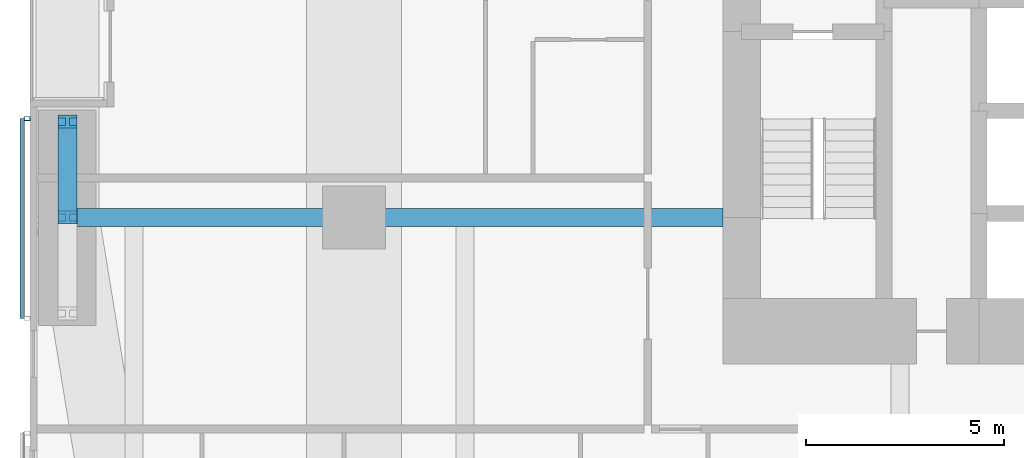
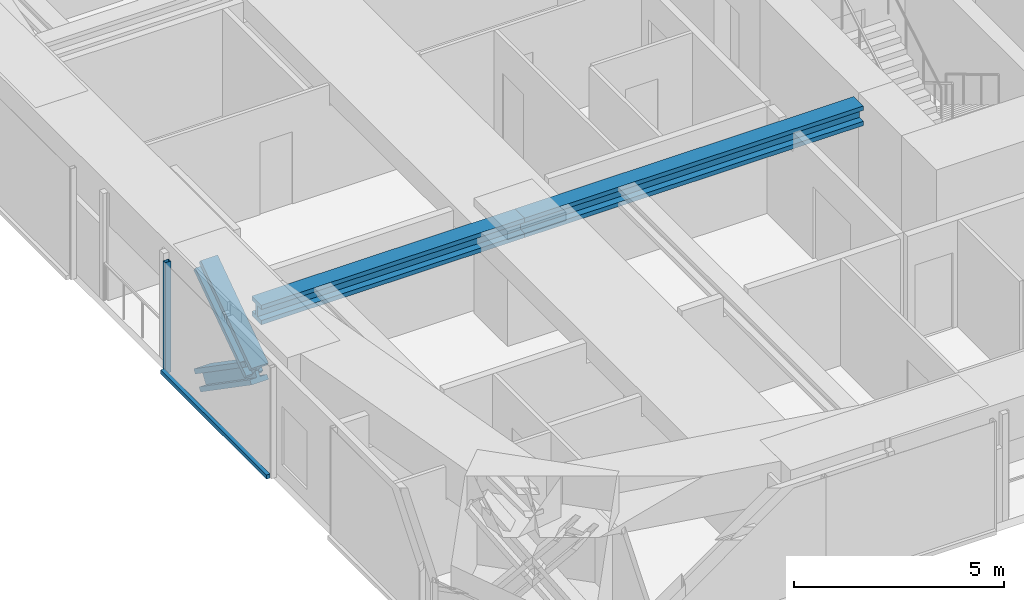
# One storey, part 3 of 23: 4 members, 2 beams, 1 element without a shape of its own.
"""IFC4 building model written with IfcOpenShell, lengths in metres."""

from ifc_helpers import new_model, si_unit, direction, frame, origin, origin_2d, place, context, subcontext, project, spatial, rectangle, hollow_rectangle, i_section, extrude, material, material_profile, profile_set, type_object, element, aggregate, save


model = new_model("IFC4")

# Units and contexts
model_context = context("Model", 3, precision=1e-05, world=origin(), true_north=direction((0.0, 1.0)))
body_context = subcontext(model_context, "Body", "Model", "MODEL_VIEW")
ifc_project = project(units=[si_unit("LENGTHUNIT", "METRE"), si_unit("AREAUNIT", "SQUARE_METRE"), si_unit("VOLUMEUNIT", "CUBIC_METRE"), si_unit("PLANEANGLEUNIT", "RADIAN"), si_unit("MASSUNIT", "GRAM", prefix="KILO")], contexts=[model_context])

# Site, building, storey
site_placement = place(None, origin())
site = spatial("IfcSite", under=ifc_project, at=site_placement, CompositionType="ELEMENT")
building_placement = place(site_placement, origin())
building = spatial("IfcBuilding", under=site, at=building_placement, Name="Jalousie Tower", CompositionType="ELEMENT")
storey_placement = place(building_placement, frame((0.0, 0.0, 37.75)))
storey = spatial("IfcBuildingStorey", under=building, at=storey_placement, Name="L09", CompositionType="ELEMENT", Elevation=37.75)

# Beams
ifc_material_1 = material(Name="Steel ASTM A992 Grade 50", Category="steel")
ifc_material_profile_1 = material_profile(ifc_material_1, i_section(OverallWidth=0.45458984375, OverallDepth=0.569091796875, WebThickness=0.077880859375, FlangeThickness=0.124755859375, at=origin_2d()), Name="W14X730")
ifc_profile_set_1 = profile_set([ifc_material_profile_1], Name="Steel ASTM A992 Grade 50")
beam_type = type_object("IfcBeamType", Name="LEAN COLLECTOR W14X730", PredefinedType="BEAM", material=ifc_profile_set_1)
beam_1_placement = place(storey_placement, frame((2.949951171875, 13.0, 2.825439453125), z_axis=(1.0, 0.0, 0.0), x_axis=(0.0, 1.0, 0.0)))
element("IfcBeam", 1, at=beam_1_placement, inside=storey, type_object=beam_type, Name="Lean collector under L10", PredefinedType="BEAM", context=body_context, shape_type="SweptSolid", body=[
    extrude(i_section(OverallWidth=0.45458984375, OverallDepth=0.569091796875, WebThickness=0.077880859375, FlangeThickness=0.124755859375, at=origin_2d()), origin(), (0.0, 0.0, 1.0), 7.25),
])
beam_2_placement = place(storey_placement, frame((10.199951171875, 13.0, 2.825439453125), z_axis=(1.0, 0.0, 0.0), x_axis=(0.0, 1.0, 0.0)))
element("IfcBeam", 2, at=beam_2_placement, inside=storey, type_object=beam_type, Name="Lean collector under L10", PredefinedType="BEAM", context=body_context, shape_type="SweptSolid", body=[
    extrude(i_section(OverallWidth=0.45458984375, OverallDepth=0.569091796875, WebThickness=0.077880859375, FlangeThickness=0.124755859375, at=origin_2d()), origin(), (0.0, 0.0, 1.0), 9.324951171875),
])

# Members
ifc_material_2 = material(Name="Steel ASTM A992 Grade 50", Category="steel")
ifc_material_profile_2 = material_profile(ifc_material_2, i_section(OverallWidth=0.472412109375, OverallDepth=0.5791015625, WebThickness=0.094970703125, FlangeThickness=0.1298828125, at=origin_2d()), Name="W14X808")
ifc_profile_set_2 = profile_set([ifc_material_profile_2], Name="Steel ASTM A992 Grade 50")
member_type_1 = type_object("IfcMemberType", Name="PERIMETER BRACE W14X808", PredefinedType="BRACE", material=ifc_profile_set_2)
for number, where, z_axis, x_axis, name in (
    (3, (2.949951171875, 13.0, 1.074951171875), (0.0, 0.822800062329, 0.568330940062), (-1.0, 0.0, 0.0), "Perimeter brace 14 L09 part 2"),
    (4, (2.949951171875, 15.425048828125, -0.60009765625), (0.0, -0.822800062329, 0.568330940062), (1.0, 0.0, 0.0), "Perimeter brace 14 L09 part 3"),
):
    element("IfcMember", number, at=place(storey_placement, frame(where, z_axis=z_axis, x_axis=x_axis)), inside=storey, type_object=member_type_1, Name=name, PredefinedType="BRACE", context=body_context, shape_type="SweptSolid", body=[
        extrude(i_section(OverallWidth=0.472412109375, OverallDepth=0.5791015625, WebThickness=0.094970703125, FlangeThickness=0.1298828125, at=origin_2d()), origin(), (0.0, 0.0, 1.0), 2.947265625),
    ])

# Curtain wall, members
ifc_material_3 = material(Name="Perforated aluminium sheet", Category="aluminium")
curtain_wall_type = type_object("IfcCurtainWallType", Name="SOLAR SCREEN SS-1", PredefinedType="USERDEFINED", material=ifc_material_3)
curtain_wall_placement = place(storey_placement, origin())
curtain_wall = element("IfcCurtainWall", 5, at=curtain_wall_placement, inside=storey, type_object=curtain_wall_type, Name="Solar screen L09", ObjectType="SOLAR SCREEN SS-1", PredefinedType="USERDEFINED")
ifc_material_4 = material(Name="Steel ASTM A500 Grade C", Category="steel")
ifc_material_profile_3 = material_profile(ifc_material_4, hollow_rectangle(XDim=0.1015625, YDim=0.15234375, WallThickness=0.00634765625, at=origin_2d()), Name="HSS6X4X1/4")
ifc_profile_set_3 = profile_set([ifc_material_profile_3], Name="Steel ASTM A500 Grade C")
member_type_2 = type_object("IfcMemberType", Name="SOLAR SCREEN SS-1 MULLION", PredefinedType="MULLION", material=ifc_profile_set_3)
member_1_placement = place(storey_placement, frame((1.9287109375, 15.5, -0.1201171875), z_axis=(0.0, 0.0, 1.0), x_axis=(0.0, -1.0, 0.0)))
member_1 = element("IfcMember", 6, at=member_1_placement, type_object=member_type_2, Name="SS1 post 1", PredefinedType="MULLION", context=body_context, shape_type="SweptSolid", body=[
    extrude(hollow_rectangle(XDim=0.1015625, YDim=0.15234375, WallThickness=0.00634765625, at=origin_2d()), origin(), (0.0, 0.0, 1.0), 3.230224609375),
])
ifc_material_5 = material(Name="Extruded aluminium screen rail", Category="aluminium")
ifc_material_profile_4 = material_profile(ifc_material_5, rectangle(XDim=0.1015625, YDim=0.1201171875, at=origin_2d()), Name="RAIL 102x120")
ifc_profile_set_4 = profile_set([ifc_material_profile_4], Name="Extruded aluminium screen rail")
member_type_3 = type_object("IfcMemberType", Name="SOLAR SCREEN SS-1 TRANSOM", PredefinedType="USERDEFINED", material=ifc_profile_set_4)
member_2_placement = place(storey_placement, frame((1.8017578125, 15.5, -0.06005859375), z_axis=(0.0, -1.0, 0.0), x_axis=(1.0, 0.0, 0.0)))
member_2 = element("IfcMember", 7, at=member_2_placement, type_object=member_type_3, Name="SS1 rail", ObjectType="TRANSOM", PredefinedType="USERDEFINED", context=body_context, shape_type="SweptSolid", body=[
    extrude(rectangle(XDim=0.1015625, YDim=0.1201171875, at=origin_2d()), origin(), (0.0, 0.0, 1.0), 5.050048828125),
])
aggregate(curtain_wall, [member_1, member_2])

save(model, "model.ifc")
